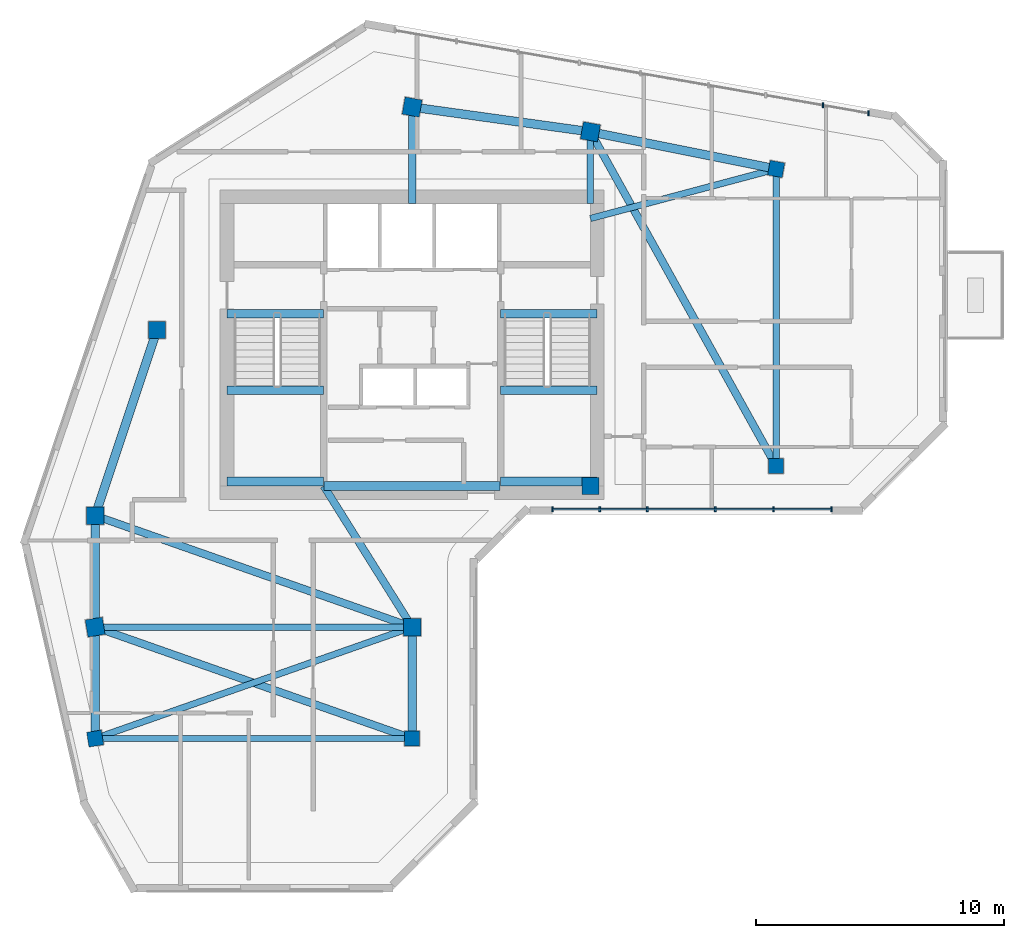
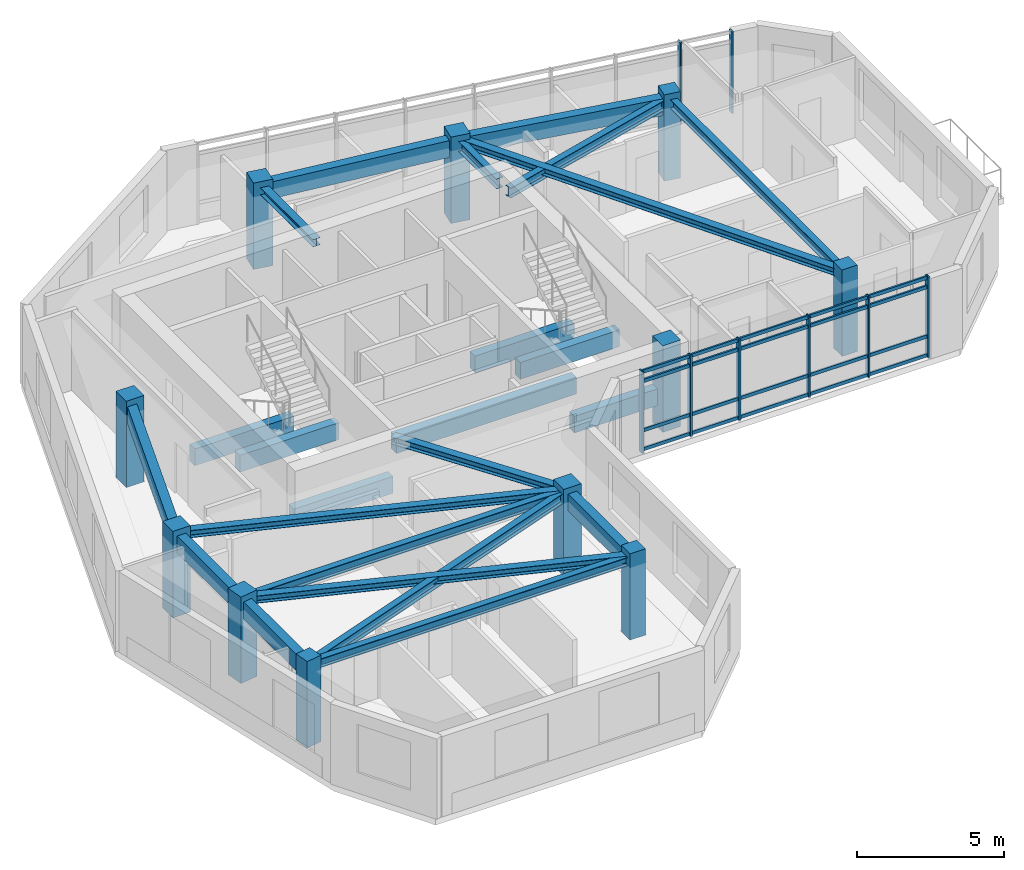
# One storey, part 1 of 10: 24 beams, 12 members, 11 columns, 2 elements without a shape of their own.
"""IFC4 building model written with IfcOpenShell, lengths in metres."""

from ifc_helpers import new_model, si_unit, direction, frame, origin, origin_2d, place, context, subcontext, project, spatial, rectangle, i_section, extrude, source, transform, mapped, material, material_profile, profile_set, type_object, element, aggregate, save


model = new_model("IFC4")

# Units and contexts
model_context = context("Model", 3, precision=1e-05, world=origin(), true_north=direction((0.0, 1.0)))
body_context = subcontext(model_context, "Body", "Model", "MODEL_VIEW")
ifc_project = project(units=[si_unit("LENGTHUNIT", "METRE"), si_unit("AREAUNIT", "SQUARE_METRE"), si_unit("VOLUMEUNIT", "CUBIC_METRE"), si_unit("PLANEANGLEUNIT", "RADIAN"), si_unit("MASSUNIT", "GRAM", prefix="KILO")], contexts=[model_context])

# Site, building, storey
site_placement = place(None, origin())
site = spatial("IfcSite", under=ifc_project, at=site_placement, CompositionType="ELEMENT")
building_placement = place(site_placement, origin())
building = spatial("IfcBuilding", under=site, at=building_placement, Name="Calvemar Wedge Station Tower", CompositionType="ELEMENT")
storey_placement = place(building_placement, frame((0.0, 0.0, 267.300048828125)))
storey = spatial("IfcBuildingStorey", under=building, at=storey_placement, Name="L68", CompositionType="ELEMENT", Elevation=267.300048828125)

# Columns
ifc_material_1 = material(Name="Concrete C50", Category="concrete")
ifc_material_profile_1 = material_profile(ifc_material_1, rectangle(XDim=0.699951171875, YDim=0.699951171875, at=origin_2d()), Name="RC700x700")
ifc_profile_set_1 = profile_set([ifc_material_profile_1], Name="Concrete C50")
column_type_1 = type_object("IfcColumnType", Name="COL-C7-700", PredefinedType="COLUMN", material=ifc_profile_set_1)
shared_shape_1 = source(origin(), body_context, "Body", "SweptSolid", [
    extrude(rectangle(XDim=0.699951171875, YDim=0.699951171875, at=origin_2d()), origin(), (0.0, 0.0, 1.0), 3.599853515625),
])
for number, where, z_axis, x_axis, name in (
    (1, (11.0, 33.0, 0.0), (0.0, 0.0, 1.0), (1.0, 0.0, 0.0), "Storey L68 Column T-NW1"),
    (2, (13.5, 40.5, 0.0), (0.0, 0.0, 1.0), (1.0, 0.0, 0.0), "Storey L68 Column T-NW2"),
    (3, (23.800048828125, 49.5, 0.0), (0.0, 0.0, 1.0), (0.984195607969, -0.17708474032, 0.0), "Storey L68 Column T-N1"),
    (4, (31.0, 48.5, 0.0), (0.0, 0.0, 1.0), (0.984195607969, -0.17708474032, 0.0), "Storey L68 Column T-N2"),
    (5, (31.0, 34.199951171875, 0.0), (0.0, 0.0, 1.0), (1.0, 0.0, 0.0), "Storey L68 Column T-NL1"),
    (6, (11.0, 28.5, 0.0), (0.0, 0.0, 1.0), (0.158158067254, -0.987413806751, 0.0), "Storey L68 Column T-SW1"),
    (7, (23.800048828125, 28.5, 0.0), (0.0, 0.0, 1.0), (1.0, 0.0, 0.0), "Storey L68 Column T-SE1"),
):
    element("IfcColumn", number, at=place(storey_placement, frame(where, z_axis=z_axis, x_axis=x_axis)), inside=storey, type_object=column_type_1, Name=name, PredefinedType="COLUMN", context=body_context, shape_type="MappedRepresentation", body=[
        mapped(shared_shape_1, transform((0.0, 0.0, 0.0), scale=1.0)),
    ])
ifc_material_profile_2 = material_profile(ifc_material_1, rectangle(XDim=0.60009765625, YDim=0.60009765625, at=origin_2d()), Name="RC600x600")
ifc_profile_set_2 = profile_set([ifc_material_profile_2], Name="Concrete C50")
column_type_2 = type_object("IfcColumnType", Name="COL-C8-600", PredefinedType="COLUMN", material=ifc_profile_set_2)
shared_shape_2 = source(origin(), body_context, "Body", "SweptSolid", [
    extrude(rectangle(XDim=0.60009765625, YDim=0.60009765625, at=origin_2d()), origin(), (0.0, 0.0, 1.0), 3.599853515625),
])
for number, where, z_axis, x_axis, name in (
    (8, (38.5, 47.0, 0.0), (0.0, 0.0, 1.0), (0.984195607969, -0.17708474032, 0.0), "Storey L68 Column T-NU3"),
    (9, (38.5, 35.0, 0.0), (0.0, 0.0, 1.0), (1.0, 0.0, 0.0), "Storey L68 Column T-NL2"),
    (10, (11.0, 24.0, 0.0), (0.0, 0.0, 1.0), (0.158158067254, -0.987413806751, 0.0), "Storey L68 Column T-SW2"),
    (11, (23.800048828125, 24.0, 0.0), (0.0, 0.0, 1.0), (1.0, 0.0, 0.0), "Storey L68 Column T-SE2"),
):
    element("IfcColumn", number, at=place(storey_placement, frame(where, z_axis=z_axis, x_axis=x_axis)), inside=storey, type_object=column_type_2, Name=name, PredefinedType="COLUMN", context=body_context, shape_type="MappedRepresentation", body=[
        mapped(shared_shape_2, transform((0.0, 0.0, 0.0), scale=1.0)),
    ])

# Beams
ifc_material_2 = material(Name="Concrete C70", Category="concrete")
ifc_material_profile_3 = material_profile(ifc_material_2, rectangle(XDim=0.35009765625, YDim=0.699951171875, at=origin_2d()), Name="RC350x700")
ifc_profile_set_3 = profile_set([ifc_material_profile_3], Name="Concrete C70")
beam_type_1 = type_object("IfcBeamType", Name="BM-LN1-700", PredefinedType="LINTEL", material=ifc_profile_set_3)
shared_shape_3 = source(origin(), body_context, "Body", "SweptSolid", [
    extrude(rectangle(XDim=0.35009765625, YDim=0.699951171875, at=origin_2d()), origin(), (0.0, 0.0, 1.0), 7.10009765625),
])
beam_1_placement = place(storey_placement, frame((20.25, 34.199951171875, 3.0), z_axis=(1.0, 0.0, 0.0), x_axis=(0.0, 1.0, 0.0)))
element("IfcBeam", 12, at=beam_1_placement, inside=storey, type_object=beam_type_1, Name="Storey L68 Core Coupling Lintel South", PredefinedType="LINTEL", context=body_context, shape_type="MappedRepresentation", body=[
    mapped(shared_shape_3, transform((0.0, 0.0, 0.0), scale=1.0)),
])
ifc_material_3 = material(Name="Structural steel ASTM A572 Grade 50", Category="steel")
ifc_material_profile_4 = material_profile(ifc_material_3, i_section(OverallWidth=0.304931640625, OverallDepth=0.30810546875, WebThickness=0.010009765625, FlangeThickness=0.015380859375, FilletRadius=0.014892578125, at=origin_2d()), Name="W310x97")
ifc_profile_set_4 = profile_set([ifc_material_profile_4], Name="Structural steel ASTM A572 Grade 50")
beam_type_2 = type_object("IfcBeamType", Name="BM-J6-W310", PredefinedType="JOIST", material=ifc_profile_set_4)
shared_shape_4 = source(origin(), body_context, "Body", "SweptSolid", [
    extrude(i_section(OverallWidth=0.304931640625, OverallDepth=0.30810546875, WebThickness=0.010009765625, FlangeThickness=0.015380859375, FilletRadius=0.014892578125, at=origin_2d()), origin(), (0.0, 0.0, 1.0), 15.443359375),
])
beam_2_placement = place(storey_placement, frame((31.0, 48.5, 3.196044921875), z_axis=(0.485642931179, -0.874157276122, 0.0), x_axis=(0.874157276122, 0.485642931179, 0.0)))
element("IfcBeam", 13, at=beam_2_placement, inside=storey, type_object=beam_type_2, Name="Storey L68 Floor Beam T-N2-T-NL2", PredefinedType="JOIST", context=body_context, shape_type="MappedRepresentation", body=[
    mapped(shared_shape_4, transform((0.0, 0.0, 0.0), scale=1.0)),
])
shared_shape_5 = source(origin(), body_context, "Body", "SweptSolid", [
    extrude(i_section(OverallWidth=0.304931640625, OverallDepth=0.30810546875, WebThickness=0.010009765625, FlangeThickness=0.015380859375, FilletRadius=0.014892578125, at=origin_2d()), origin(), (0.0, 0.0, 1.0), 13.568115234375),
])
for number, where, z_axis, x_axis, name in (
    (14, (11.0, 33.0, 3.196044921875), (0.943398221169, -0.331662171939, 0.0), (0.331662171939, 0.943398221169, 0.0), "Storey L68 Floor Beam T-NW1-T-SE1"),
    (15, (11.0, 28.5, 3.196044921875), (0.943398221169, -0.331662171939, 0.0), (0.331662171939, 0.943398221169, 0.0), "Storey L68 Floor Beam T-SW1-T-SE2"),
):
    element("IfcBeam", number, at=place(storey_placement, frame(where, z_axis=z_axis, x_axis=x_axis)), inside=storey, type_object=beam_type_2, Name=name, PredefinedType="JOIST", context=body_context, shape_type="MappedRepresentation", body=[
        mapped(shared_shape_5, transform((0.0, 0.0, 0.0), scale=1.0)),
    ])
ifc_material_profile_5 = material_profile(ifc_material_3, i_section(OverallWidth=0.260986328125, OverallDepth=0.419921875, WebThickness=0.01171875, FlangeThickness=0.019287109375, FilletRadius=0.012939453125, at=origin_2d()), Name="W410x114")
ifc_profile_set_5 = profile_set([ifc_material_profile_5], Name="Structural steel ASTM A572 Grade 50")
beam_type_3 = type_object("IfcBeamType", Name="BM-J2-W410H", PredefinedType="JOIST", material=ifc_profile_set_5)
shared_shape_6 = source(origin(), body_context, "Body", "SweptSolid", [
    extrude(i_section(OverallWidth=0.260986328125, OverallDepth=0.419921875, WebThickness=0.01171875, FlangeThickness=0.019287109375, FilletRadius=0.012939453125, at=origin_2d()), origin(), (0.0, 0.0, 1.0), 13.568115234375),
])
beam_3_placement = place(storey_placement, frame((23.800048828125, 28.5, 3.139892578125), z_axis=(-0.943398221169, -0.331662171939, 0.0), x_axis=(0.331662171939, -0.943398221169, 0.0)))
element("IfcBeam", 16, at=beam_3_placement, inside=storey, type_object=beam_type_3, Name="Storey L68 Floor Beam T-SE1-T-SW2", PredefinedType="JOIST", context=body_context, shape_type="MappedRepresentation", body=[
    mapped(shared_shape_6, transform((0.0, 0.0, 0.0), scale=1.0)),
])
shared_shape_7 = source(origin(), body_context, "Body", "SweptSolid", [
    extrude(i_section(OverallWidth=0.260986328125, OverallDepth=0.419921875, WebThickness=0.01171875, FlangeThickness=0.019287109375, FilletRadius=0.012939453125, at=origin_2d()), origin(), (0.0, 0.0, 1.0), 7.76220703125),
])
beam_4_placement = place(storey_placement, frame((31.0, 45.0, 3.139892578125), z_axis=(0.966234939601, 0.25766265056, 0.0), x_axis=(-0.25766265056, 0.966234939601, 0.0)))
element("IfcBeam", 17, at=beam_4_placement, inside=storey, type_object=beam_type_3, Name="Storey L68 Core-to-Column Joist CJ-E2", PredefinedType="JOIST", context=body_context, shape_type="MappedRepresentation", body=[
    mapped(shared_shape_7, transform((0.0, 0.0, 0.0), scale=1.0)),
])
shared_shape_8 = source(origin(), body_context, "Body", "SweptSolid", [
    extrude(i_section(OverallWidth=0.304931640625, OverallDepth=0.30810546875, WebThickness=0.010009765625, FlangeThickness=0.015380859375, FilletRadius=0.014892578125, at=origin_2d()), origin(), (0.0, 0.0, 1.0), 3.89990234375),
])
beam_5_placement = place(storey_placement, frame((23.800048828125, 45.60009765625, 3.196044921875), z_axis=(0.0, 1.0, 0.0), x_axis=(-1.0, 0.0, 0.0)))
element("IfcBeam", 18, at=beam_5_placement, inside=storey, type_object=beam_type_2, Name="Storey L68 Core-to-Column Joist CJ-N1", PredefinedType="JOIST", context=body_context, shape_type="MappedRepresentation", body=[
    mapped(shared_shape_8, transform((0.0, 0.0, 0.0), scale=1.0)),
])
shared_shape_9 = source(origin(), body_context, "Body", "SweptSolid", [
    extrude(i_section(OverallWidth=0.260986328125, OverallDepth=0.419921875, WebThickness=0.01171875, FlangeThickness=0.019287109375, FilletRadius=0.012939453125, at=origin_2d()), origin(), (0.0, 0.0, 1.0), 2.89990234375),
])
beam_6_placement = place(storey_placement, frame((31.0, 45.60009765625, 3.139892578125), z_axis=(0.0, 1.0, 0.0), x_axis=(-1.0, 0.0, 0.0)))
element("IfcBeam", 19, at=beam_6_placement, inside=storey, type_object=beam_type_3, Name="Storey L68 Core-to-Column Joist CJ-N2", PredefinedType="JOIST", context=body_context, shape_type="MappedRepresentation", body=[
    mapped(shared_shape_9, transform((0.0, 0.0, 0.0), scale=1.0)),
])
shared_shape_10 = source(origin(), body_context, "Body", "SweptSolid", [
    extrude(i_section(OverallWidth=0.304931640625, OverallDepth=0.30810546875, WebThickness=0.010009765625, FlangeThickness=0.015380859375, FilletRadius=0.014892578125, at=origin_2d()), origin(), (0.0, 0.0, 1.0), 6.7255859375),
])
beam_7_placement = place(storey_placement, frame((20.22998046875, 34.199951171875, 3.196044921875), z_axis=(0.530811158438, -0.847490126242, 0.0), x_axis=(0.847490126242, 0.530811158438, 0.0)))
element("IfcBeam", 20, at=beam_7_placement, inside=storey, type_object=beam_type_2, Name="Storey L68 Core-to-Column Joist CJ-S2", PredefinedType="JOIST", context=body_context, shape_type="MappedRepresentation", body=[
    mapped(shared_shape_10, transform((0.0, 0.0, 0.0), scale=1.0)),
])
ifc_material_profile_6 = material_profile(ifc_material_1, rectangle(XDim=0.35009765625, YDim=0.699951171875, at=origin_2d()), Name="RC350x700")
ifc_profile_set_6 = profile_set([ifc_material_profile_6], Name="Concrete C50")
beam_type_4 = type_object("IfcBeamType", Name="BM-SP2-700", PredefinedType="SPANDREL", material=ifc_profile_set_6)
shared_shape_11 = source(origin(), body_context, "Body", "SweptSolid", [
    extrude(rectangle(XDim=0.35009765625, YDim=0.699951171875, at=origin_2d()), origin(), (0.0, 0.0, 1.0), 7.90576171875),
])
beam_8_placement = place(storey_placement, frame((11.0, 33.0, 3.0), z_axis=(0.316227766017, 0.948683298051, 0.0), x_axis=(-0.948683298051, 0.316227766017, 0.0)))
element("IfcBeam", 21, at=beam_8_placement, inside=storey, type_object=beam_type_4, Name="Storey L68 Spandrel T-NW1-T-NW2", PredefinedType="SPANDREL", context=body_context, shape_type="MappedRepresentation", body=[
    mapped(shared_shape_11, transform((0.0, 0.0, 0.0), scale=1.0)),
])
shared_shape_12 = source(origin(), body_context, "Body", "SweptSolid", [
    extrude(rectangle(XDim=0.35009765625, YDim=0.699951171875, at=origin_2d()), origin(), (0.0, 0.0, 1.0), 7.26904296875),
])
beam_9_placement = place(storey_placement, frame((23.800048828125, 49.5, 3.0), z_axis=(0.990492146053, -0.13756928657, 0.0), x_axis=(0.13756928657, 0.990492146053, 0.0)))
element("IfcBeam", 22, at=beam_9_placement, inside=storey, type_object=beam_type_4, Name="Storey L68 Spandrel T-N1-T-N2", PredefinedType="SPANDREL", context=body_context, shape_type="MappedRepresentation", body=[
    mapped(shared_shape_12, transform((0.0, 0.0, 0.0), scale=1.0)),
])
shared_shape_13 = source(origin(), body_context, "Body", "SweptSolid", [
    extrude(rectangle(XDim=0.35009765625, YDim=0.699951171875, at=origin_2d()), origin(), (0.0, 0.0, 1.0), 7.6484375),
])
beam_10_placement = place(storey_placement, frame((31.0, 48.5, 3.0), z_axis=(0.980580675691, -0.196116135138, 0.0), x_axis=(0.196116135138, 0.980580675691, 0.0)))
element("IfcBeam", 23, at=beam_10_placement, inside=storey, type_object=beam_type_4, Name="Storey L68 Spandrel T-N2-T-NU3", PredefinedType="SPANDREL", context=body_context, shape_type="MappedRepresentation", body=[
    mapped(shared_shape_13, transform((0.0, 0.0, 0.0), scale=1.0)),
])
shared_shape_14 = source(origin(), body_context, "Body", "SweptSolid", [
    extrude(rectangle(XDim=0.35009765625, YDim=0.699951171875, at=origin_2d()), origin(), (0.0, 0.0, 1.0), 4.5),
])
for number, where, z_axis, x_axis, name in (
    (24, (11.0, 33.0, 3.0), (0.0, -1.0, 0.0), (1.0, 0.0, 0.0), "Storey L68 Spandrel T-NW1-T-SW1"),
    (25, (11.0, 28.5, 3.0), (0.0, -1.0, 0.0), (1.0, 0.0, 0.0), "Storey L68 Spandrel T-SW1-T-SW2"),
    (26, (23.800048828125, 28.5, 3.0), (0.0, -1.0, 0.0), (1.0, 0.0, 0.0), "Storey L68 Spandrel T-SE1-T-SE2"),
):
    element("IfcBeam", number, at=place(storey_placement, frame(where, z_axis=z_axis, x_axis=x_axis)), inside=storey, type_object=beam_type_4, Name=name, PredefinedType="SPANDREL", context=body_context, shape_type="MappedRepresentation", body=[
        mapped(shared_shape_14, transform((0.0, 0.0, 0.0), scale=1.0)),
    ])
shared_shape_15 = source(origin(), body_context, "Body", "SweptSolid", [
    extrude(rectangle(XDim=0.35009765625, YDim=0.699951171875, at=origin_2d()), origin(), (0.0, 0.0, 1.0), 3.905029296875),
])
for number, where, z_axis, x_axis, name in (
    (27, (16.324951171875, 41.14990234375, -0.35009765625), (1.0, 0.0, 0.0), (0.0, 1.0, 0.0), "Storey L68 Stair ST-C1 Landing Trimmer Beam"),
    (28, (16.324951171875, 34.3798828125, 1.25), (1.0, 0.0, 0.0), (0.0, 1.0, 0.0), "Storey L68 Stair ST-C1 Half-Landing Beam 1A"),
    (29, (16.324951171875, 38.070068359375, 1.25), (1.0, 0.0, 0.0), (0.0, 1.0, 0.0), "Storey L68 Stair ST-C1 Half-Landing Beam 1B"),
):
    element("IfcBeam", number, at=place(storey_placement, frame(where, z_axis=z_axis, x_axis=x_axis)), inside=storey, type_object=beam_type_1, Name=name, PredefinedType="LINTEL", context=body_context, shape_type="MappedRepresentation", body=[
        mapped(shared_shape_15, transform((0.0, 0.0, 0.0), scale=1.0)),
    ])
shared_shape_16 = source(origin(), body_context, "Body", "SweptSolid", [
    extrude(rectangle(XDim=0.35009765625, YDim=0.699951171875, at=origin_2d()), origin(), (0.0, 0.0, 1.0), 3.90478515625),
])
for number, where, z_axis, x_axis, name in (
    (30, (27.3701171875, 41.14990234375, -0.35009765625), (1.0, 0.0, 0.0), (0.0, 1.0, 0.0), "Storey L68 Stair ST-C2 Landing Trimmer Beam"),
    (31, (27.3701171875, 34.3798828125, 1.25), (1.0, 0.0, 0.0), (0.0, 1.0, 0.0), "Storey L68 Stair ST-C2 Half-Landing Beam 1A"),
    (32, (27.3701171875, 38.070068359375, 1.25), (1.0, 0.0, 0.0), (0.0, 1.0, 0.0), "Storey L68 Stair ST-C2 Half-Landing Beam 1B"),
):
    element("IfcBeam", number, at=place(storey_placement, frame(where, z_axis=z_axis, x_axis=x_axis)), inside=storey, type_object=beam_type_1, Name=name, PredefinedType="LINTEL", context=body_context, shape_type="MappedRepresentation", body=[
        mapped(shared_shape_16, transform((0.0, 0.0, 0.0), scale=1.0)),
    ])
ifc_material_profile_7 = material_profile(ifc_material_3, i_section(OverallWidth=0.257080078125, OverallDepth=0.363037109375, WebThickness=0.012939453125, FlangeThickness=0.021728515625, FilletRadius=0.014892578125, at=origin_2d()), Name="W360x122")
ifc_profile_set_7 = profile_set([ifc_material_profile_7], Name="Structural steel ASTM A572 Grade 50")
beam_type_5 = type_object("IfcBeamType", Name="BM-J4-W360", PredefinedType="JOIST", material=ifc_profile_set_7)
shared_shape_17 = source(origin(), body_context, "Body", "SweptSolid", [
    extrude(i_section(OverallWidth=0.257080078125, OverallDepth=0.363037109375, WebThickness=0.012939453125, FlangeThickness=0.021728515625, FilletRadius=0.014892578125, at=origin_2d()), origin(), (0.0, 0.0, 1.0), 12.0),
])
beam_11_placement = place(storey_placement, frame((38.5, 47.0, 3.16845703125), z_axis=(0.0, -1.0, 0.0), x_axis=(1.0, 0.0, 0.0)))
element("IfcBeam", 33, at=beam_11_placement, inside=storey, type_object=beam_type_5, Name="Storey L68 Floor Beam T-NU3-T-NL2", PredefinedType="JOIST", context=body_context, shape_type="MappedRepresentation", body=[
    mapped(shared_shape_17, transform((0.0, 0.0, 0.0), scale=1.0)),
])
shared_shape_18 = source(origin(), body_context, "Body", "SweptSolid", [
    extrude(i_section(OverallWidth=0.257080078125, OverallDepth=0.363037109375, WebThickness=0.012939453125, FlangeThickness=0.021728515625, FilletRadius=0.014892578125, at=origin_2d()), origin(), (0.0, 0.0, 1.0), 12.800048828125),
])
for number, where, z_axis, x_axis, name in (
    (34, (11.0, 28.5, 3.16845703125), (1.0, 0.0, 0.0), (0.0, 1.0, 0.0), "Storey L68 Floor Beam T-SW1-T-SE1"),
    (35, (11.0, 24.0, 3.16845703125), (1.0, 0.0, 0.0), (0.0, 1.0, 0.0), "Storey L68 Floor Beam T-SW2-T-SE2"),
):
    element("IfcBeam", number, at=place(storey_placement, frame(where, z_axis=z_axis, x_axis=x_axis)), inside=storey, type_object=beam_type_5, Name=name, PredefinedType="JOIST", context=body_context, shape_type="MappedRepresentation", body=[
        mapped(shared_shape_18, transform((0.0, 0.0, 0.0), scale=1.0)),
    ])

# Curtain wall, members
ifc_material_4 = material(Name="Anodised aluminium 6063-T6", Category="aluminium")
curtain_wall_type = type_object("IfcCurtainWallType", Name="CW4", PredefinedType="NOTDEFINED", material=ifc_material_4)
curtain_wall_1_placement = place(storey_placement, origin())
curtain_wall_1 = element("IfcCurtainWall", 36, at=curtain_wall_1_placement, inside=storey, type_object=curtain_wall_type, Name="Storey L68 CW4 Recessed Unitised Curtain Wall 6", PredefinedType="NOTDEFINED")
ifc_material_profile_8 = material_profile(ifc_material_4, rectangle(XDim=0.070068359375, YDim=0.199951171875, at=origin_2d()), Name="AL-MUL-70x200")
ifc_profile_set_8 = profile_set([ifc_material_profile_8], Name="Anodised aluminium 6063-T6")
member_type_1 = type_object("IfcMemberType", Name="CW4-MUL", PredefinedType="MULLION", material=ifc_profile_set_8)
shared_shape_19 = source(origin(), body_context, "Body", "SweptSolid", [
    extrude(rectangle(XDim=0.070068359375, YDim=0.199951171875, at=origin_2d()), origin(), (0.0, 0.0, 1.0), 3.39990234375),
])
member_1_placement = place(storey_placement, frame((29.469970703125, 33.26611328125, -0.050048828125), z_axis=(0.0, 0.0, 1.0), x_axis=(1.0, 0.0, 0.0)))
member_1 = element("IfcMember", 37, at=member_1_placement, type_object=member_type_1, Name="CW4 mullion 1", PredefinedType="MULLION", context=body_context, shape_type="MappedRepresentation", body=[
    mapped(shared_shape_19, transform((0.0, 0.0, 0.0), scale=1.0)),
])
member_2_placement = place(storey_placement, frame((31.3798828125, 33.26611328125, -0.050048828125), z_axis=(0.0, 0.0, 1.0), x_axis=(1.0, 0.0, 0.0)))
member_2 = element("IfcMember", 38, at=member_2_placement, type_object=member_type_1, Name="CW4 mullion 2", PredefinedType="MULLION", context=body_context, shape_type="MappedRepresentation", body=[
    mapped(shared_shape_19, transform((0.0, 0.0, 0.0), scale=1.0)),
])
member_3_placement = place(storey_placement, frame((33.2900390625, 33.26611328125, -0.050048828125), z_axis=(0.0, 0.0, 1.0), x_axis=(1.0, 0.0, 0.0)))
member_3 = element("IfcMember", 39, at=member_3_placement, type_object=member_type_1, Name="CW4 mullion 3", PredefinedType="MULLION", context=body_context, shape_type="MappedRepresentation", body=[
    mapped(shared_shape_19, transform((0.0, 0.0, 0.0), scale=1.0)),
])
member_4_placement = place(storey_placement, frame((36.0400390625, 33.26611328125, -0.050048828125), z_axis=(0.0, 0.0, 1.0), x_axis=(1.0, 0.0, 0.0)))
member_4 = element("IfcMember", 40, at=member_4_placement, type_object=member_type_1, Name="CW4 mullion 4", PredefinedType="MULLION", context=body_context, shape_type="MappedRepresentation", body=[
    mapped(shared_shape_19, transform((0.0, 0.0, 0.0), scale=1.0)),
])
member_5_placement = place(storey_placement, frame((38.388916015625, 33.26611328125, -0.050048828125), z_axis=(0.0, 0.0, 1.0), x_axis=(1.0, 0.0, 0.0)))
member_5 = element("IfcMember", 41, at=member_5_placement, type_object=member_type_1, Name="CW4 mullion 5", PredefinedType="MULLION", context=body_context, shape_type="MappedRepresentation", body=[
    mapped(shared_shape_19, transform((0.0, 0.0, 0.0), scale=1.0)),
])
member_6_placement = place(storey_placement, frame((40.73779296875, 33.26611328125, -0.050048828125), z_axis=(0.0, 0.0, 1.0), x_axis=(1.0, 0.0, 0.0)))
member_6 = element("IfcMember", 42, at=member_6_placement, type_object=member_type_1, Name="CW4 mullion 6", PredefinedType="MULLION", context=body_context, shape_type="MappedRepresentation", body=[
    mapped(shared_shape_19, transform((0.0, 0.0, 0.0), scale=1.0)),
])

curtain_wall_2_placement = place(storey_placement, origin())
curtain_wall_2 = element("IfcCurtainWall", 43, at=curtain_wall_2_placement, inside=storey, type_object=curtain_wall_type, Name="Storey L68 CW4 Recessed Unitised Curtain Wall 10", PredefinedType="NOTDEFINED")
member_7_placement = place(storey_placement, frame((42.233642578125, 49.246826171875, -0.050048828125), z_axis=(0.0, 0.0, 1.0), x_axis=(1.0, 0.0, 0.0)))
member_7 = element("IfcMember", 44, at=member_7_placement, type_object=member_type_1, Name="CW4 mullion 1", PredefinedType="MULLION", context=body_context, shape_type="MappedRepresentation", body=[
    mapped(shared_shape_19, transform((0.0, 0.0, 0.0), scale=1.0)),
])
member_8_placement = place(storey_placement, frame((40.388427734375, 49.569580078125, -0.050048828125), z_axis=(0.0, 0.0, 1.0), x_axis=(1.0, 0.0, 0.0)))
member_8 = element("IfcMember", 45, at=member_8_placement, type_object=member_type_1, Name="CW4 mullion 2", PredefinedType="MULLION", context=body_context, shape_type="MappedRepresentation", body=[
    mapped(shared_shape_19, transform((0.0, 0.0, 0.0), scale=1.0)),
])
aggregate(curtain_wall_2, [member_7, member_8])

# Member
ifc_material_profile_9 = material_profile(ifc_material_4, rectangle(XDim=0.070068359375, YDim=0.139892578125, at=origin_2d()), Name="AL-TRN-70x140")
ifc_profile_set_9 = profile_set([ifc_material_profile_9], Name="Anodised aluminium 6063-T6")
member_type_2 = type_object("IfcMemberType", Name="CW4-TRN", PredefinedType="USERDEFINED", material=ifc_profile_set_9)
shared_shape_20 = source(origin(), body_context, "Body", "SweptSolid", [
    extrude(rectangle(XDim=0.070068359375, YDim=0.139892578125, at=origin_2d()), origin(), (0.0, 0.0, 1.0), 11.267822265625),
])
member_9_placement = place(storey_placement, frame((29.469970703125, 33.26611328125, 0.06005859375), z_axis=(1.0, 0.0, 0.0), x_axis=(0.0, 1.0, 0.0)))
member_9 = element("IfcMember", 46, at=member_9_placement, type_object=member_type_2, Name="CW4 transom 1", ObjectType="TRANSOM", PredefinedType="USERDEFINED", context=body_context, shape_type="MappedRepresentation", body=[
    mapped(shared_shape_20, transform((0.0, 0.0, 0.0), scale=1.0)),
])

member_10_placement = place(storey_placement, frame((29.469970703125, 33.26611328125, 0.849853515625), z_axis=(1.0, 0.0, 0.0), x_axis=(0.0, 1.0, 0.0)))
member_10 = element("IfcMember", 47, at=member_10_placement, type_object=member_type_2, Name="CW4 transom 2", ObjectType="TRANSOM", PredefinedType="USERDEFINED", context=body_context, shape_type="MappedRepresentation", body=[
    mapped(shared_shape_20, transform((0.0, 0.0, 0.0), scale=1.0)),
])

member_11_placement = place(storey_placement, frame((29.469970703125, 33.26611328125, 2.89990234375), z_axis=(1.0, 0.0, 0.0), x_axis=(0.0, 1.0, 0.0)))
member_11 = element("IfcMember", 48, at=member_11_placement, type_object=member_type_2, Name="CW4 transom 3", ObjectType="TRANSOM", PredefinedType="USERDEFINED", context=body_context, shape_type="MappedRepresentation", body=[
    mapped(shared_shape_20, transform((0.0, 0.0, 0.0), scale=1.0)),
])

member_12_placement = place(storey_placement, frame((29.469970703125, 33.26611328125, 3.2900390625), z_axis=(1.0, 0.0, 0.0), x_axis=(0.0, 1.0, 0.0)))
member_12 = element("IfcMember", 49, at=member_12_placement, type_object=member_type_2, Name="CW4 transom 4", ObjectType="TRANSOM", PredefinedType="USERDEFINED", context=body_context, shape_type="MappedRepresentation", body=[
    mapped(shared_shape_20, transform((0.0, 0.0, 0.0), scale=1.0)),
])

aggregate(curtain_wall_1, [member_1, member_2, member_3, member_4, member_5, member_6, member_9, member_10, member_11, member_12])

save(model, "model.ifc")
